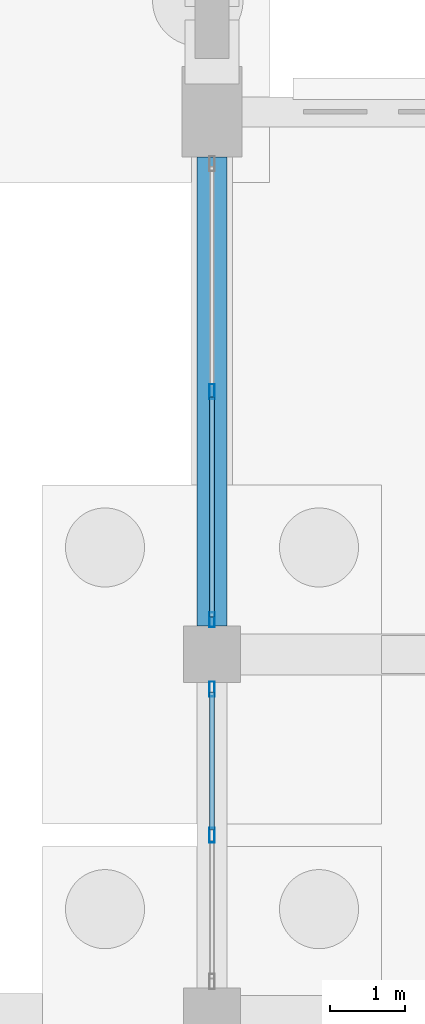
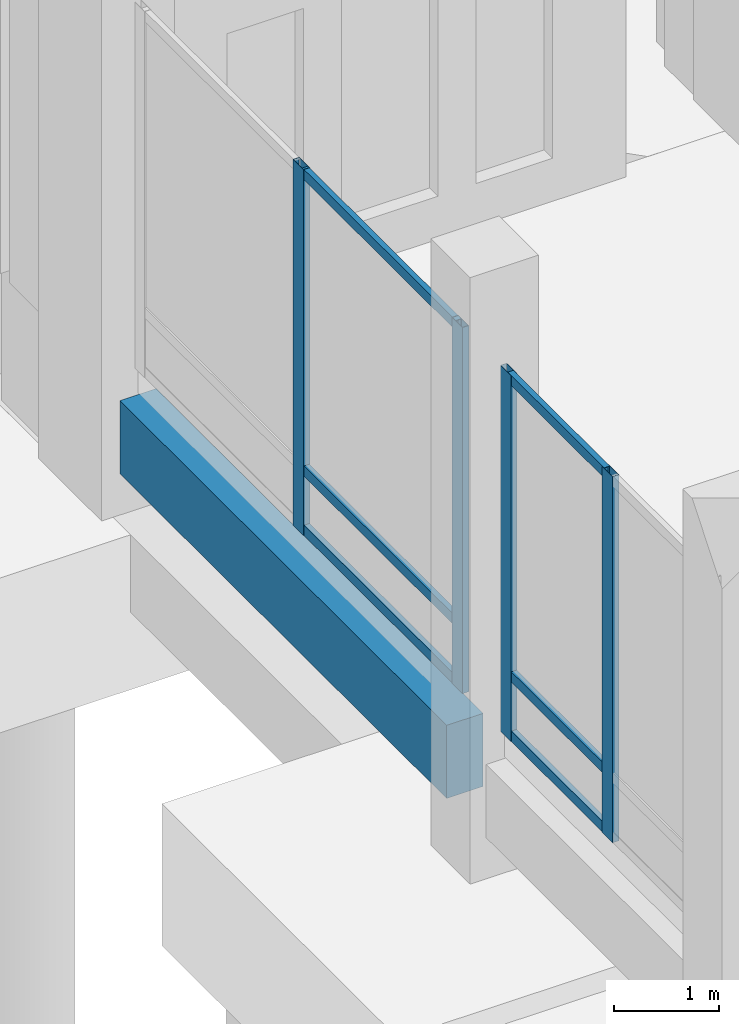
# One storey, part 108 of 192: 10 members, 1 beam, 2 elements without a shape of their own.
"""IFC4 building model written with IfcOpenShell, lengths in metres."""

import ifcopenshell
import ifcopenshell.guid

model = None  # the IFC model being written
_history = None  # IfcOwnerHistory: only IFC2X3 demands one
_inside = {}  # id of a spatial element -> (the spatial element, [elements in it])
_under = {}  # id of a project, library or spatial element -> (it, [spatial elements below it])
_declared = {}  # id of a project -> (the project, [libraries it declares])
_typed = {}  # id of a type object -> (the type object, [elements of that type])
_made_of = {}  # id of a material, layer set ... -> (it, [elements and type objects made of it])


def new_model(schema):
    """Start an empty IFC model of exactly this schema.

    Asked for "IFC4X3", IfcOpenShell would pick the latest addendum, in which some entities
    have other attributes; the version numbers below select the first issue.
    IFC2X3 requires an IfcOwnerHistory on every rooted entity: one is made here for all.
    """
    global model, _history
    if schema == "IFC4X3":
        model = ifcopenshell.file(schema_version=(4, 3, 0, 0))
    else:
        model = ifcopenshell.file(schema=schema)
    _inside.clear()
    _under.clear()
    _declared.clear()
    _typed.clear()
    _made_of.clear()
    _history = None
    if model.schema == "IFC2X3":
        org = make("IfcOrganization", Name="unknown")
        user = make(
            "IfcPersonAndOrganization",
            ThePerson=make("IfcPerson", FamilyName="unknown"),
            TheOrganization=org,
        )
        app = make(
            "IfcApplication",
            ApplicationDeveloper=org,
            Version="unknown",
            ApplicationFullName="unknown",
            ApplicationIdentifier="unknown",
        )
        _history = make(
            "IfcOwnerHistory",
            OwningUser=user,
            OwningApplication=app,
            ChangeAction="ADDED",
            CreationDate=0,
        )
    return model


def make(cls, **values):
    """One entity of the class cls with the attributes given. An attribute that is None is left unset."""
    return model.create_entity(
        cls, **{name: value for name, value in values.items() if value is not None}
    )


def rooted(cls, **values):
    """An entity with a GlobalId (a new one), such as an element, a storey or a relation."""
    return make(cls, GlobalId=ifcopenshell.guid.new(), OwnerHistory=_history, **values)


def si_unit(unit_type, name, prefix=None):
    """IfcSIUnit, for example si_unit("LENGTHUNIT", "METRE", prefix="MILLI")."""
    return make("IfcSIUnit", UnitType=unit_type, Prefix=prefix, Name=name)


def assignment(units):
    """IfcUnitAssignment: the units of a project."""
    return None if units is None else make("IfcUnitAssignment", Units=units)


def point(xyz):
    """IfcCartesianPoint."""
    return None if xyz is None else make("IfcCartesianPoint", Coordinates=xyz)


def direction(xyz):
    """IfcDirection."""
    return None if xyz is None else make("IfcDirection", DirectionRatios=xyz)


def frame(location, z_axis=None, x_axis=None):
    """IfcAxis2Placement3D, a coordinate frame: its origin and axes. An axis left out is left unset."""
    return make(
        "IfcAxis2Placement3D",
        Location=point(location),
        Axis=direction(z_axis),
        RefDirection=direction(x_axis),
    )


def frame_2d(location, x_axis=None):
    """IfcAxis2Placement2D, a coordinate frame in the plane: its origin and x axis."""
    return make(
        "IfcAxis2Placement2D", Location=point(location), RefDirection=direction(x_axis)
    )


def origin():
    """The frame at (0, 0, 0) with its axes left unset."""
    return frame((0.0, 0.0, 0.0))


def origin_2d():
    """The frame at (0, 0) in the plane with its x axis left unset."""
    return frame_2d((0.0, 0.0))


def place(relative_to, where):
    """IfcLocalPlacement: puts the frame where relative to a parent placement (None: the world)."""
    return make(
        "IfcLocalPlacement", PlacementRelTo=relative_to, RelativePlacement=where
    )


def context(
    kind, dimensions, precision=None, world=None, true_north=None, identifier=None
):
    """IfcGeometricRepresentationContext, for example the 3D "Model" context."""
    return make(
        "IfcGeometricRepresentationContext",
        ContextIdentifier=identifier,
        ContextType=kind,
        CoordinateSpaceDimension=dimensions,
        Precision=precision,
        WorldCoordinateSystem=world,
        TrueNorth=true_north,
    )


def subcontext(parent, identifier, kind, view, scale=None):
    """IfcGeometricRepresentationSubContext, for example "Body" below "Model"."""
    return make(
        "IfcGeometricRepresentationSubContext",
        ContextIdentifier=identifier,
        ContextType=kind,
        ParentContext=parent,
        TargetScale=scale,
        TargetView=view,
    )


def project(units=None, contexts=None):
    """IfcProject with its units and contexts."""
    return rooted(
        "IfcProject",
        Name="project",
        RepresentationContexts=contexts,
        UnitsInContext=assignment(units),
    )


def spatial(cls, under=None, at=None, **own):
    """A site, building, storey or space (cls), placed at a placement, below another one or the project."""
    s = rooted(cls, ObjectPlacement=at, **own)
    if under is not None:
        _under.setdefault(under.id(), (under, []))[1].append(s)
    return s


def profile(cls, at=None, kind="AREA", **sizes):
    """A parametric profile (cls). Its sizes go by their IFC names, for example OverallWidth=200.0."""
    return make(cls, ProfileType=kind, Position=at, **sizes)


def rectangle(**sizes):
    """IfcRectangleProfileDef."""
    return profile("IfcRectangleProfileDef", **sizes)


def hollow_rectangle(**sizes):
    """IfcRectangleHollowProfileDef."""
    return profile("IfcRectangleHollowProfileDef", **sizes)


def extrude(swept, where, along, depth):
    """IfcExtrudedAreaSolid: the profile swept, set in the frame where, extruded along a direction by depth."""
    return make(
        "IfcExtrudedAreaSolid",
        SweptArea=swept,
        Position=where,
        ExtrudedDirection=direction(along),
        Depth=depth,
    )


def shape(context_of_items, identifier, shape_type, items):
    """IfcShapeRepresentation: the items that make up one representation, for example the "Body"."""
    return make(
        "IfcShapeRepresentation",
        ContextOfItems=context_of_items,
        RepresentationIdentifier=identifier,
        RepresentationType=shape_type,
        Items=items,
    )


def material(Name=None, Category=None):
    """IfcMaterial."""
    return make("IfcMaterial", Name=Name, Category=Category)


def material_profile(
    of_material, cross_section, Name=None, Category=None, Priority=None
):
    """IfcMaterialProfile: a cross section and its material."""
    return make(
        "IfcMaterialProfile",
        Name=Name,
        Material=of_material,
        Profile=cross_section,
        Priority=Priority,
        Category=Category,
    )


def profile_set(profiles, Name=None, composite=None):
    """IfcMaterialProfileSet."""
    return make(
        "IfcMaterialProfileSet",
        Name=Name,
        MaterialProfiles=profiles,
        CompositeProfile=composite,
    )


def made_of(thing, what):
    """Note that an element or type object is made of a material, layer set ...; save() writes the relation."""
    if what is not None:
        _made_of.setdefault(what.id(), (what, []))[1].append(thing)
    return thing


def type_object(cls, material=None, **own):
    """A type object (cls), such as IfcWallType, which elements share."""
    return made_of(rooted(cls, **own), material)


def element(
    cls,
    number,
    at=None,
    inside=None,
    cuts=None,
    type_object=None,
    material=None,
    context=None,
    identifier="Body",
    shape_type=None,
    held_by="IfcProductDefinitionShape",
    body=None,
    shapes=None,
    **own,
):
    """One element of the class cls, such as IfcWall. Its Tag is "e" and its number.

    at: its placement. inside: the storey or other place that contains it. cuts: it is an
    opening in that element (IfcRelVoidsElement). A single representation is given by context,
    identifier, shape_type and body (its items); several are given by shapes. held_by: the class
    of the entity that holds the representations. save() writes the other relations.
    """
    e = rooted(cls, Tag="e%d" % number, ObjectPlacement=at, **own)
    if body is not None:
        shapes = [shape(context, identifier, shape_type, body)]
    if shapes is not None:
        e.Representation = make(held_by, Representations=shapes)
    if inside is not None:
        _inside.setdefault(inside.id(), (inside, []))[1].append(e)
    if cuts is not None:
        rooted(
            "IfcRelVoidsElement", RelatingBuildingElement=cuts, RelatedOpeningElement=e
        )
    if type_object is not None:
        _typed.setdefault(type_object.id(), (type_object, []))[1].append(e)
    return made_of(e, material)


def aggregate(whole, parts):
    """IfcRelAggregates: a whole, such as a stair, and the parts it consists of."""
    return rooted("IfcRelAggregates", RelatingObject=whole, RelatedObjects=parts)


def save(model, path):
    """Write the relations noted so far, then the file.

    IfcRelAggregates (storeys below a building ...), IfcRelContainedInSpatialStructure (elements
    in a storey), IfcRelDefinesByType, IfcRelAssociatesMaterial and IfcRelDeclares: one each for
    every whole, place, type object, material and project.
    """
    for whole, parts in _under.values():
        aggregate(whole, parts)
    for where, things in _inside.values():
        rooted(
            "IfcRelContainedInSpatialStructure",
            RelatedElements=things,
            RelatingStructure=where,
        )
    for kind, things in _typed.values():
        rooted("IfcRelDefinesByType", RelatedObjects=things, RelatingType=kind)
    for what, things in _made_of.values():
        rooted("IfcRelAssociatesMaterial", RelatedObjects=things, RelatingMaterial=what)
    for by, libraries in _declared.values():
        rooted("IfcRelDeclares", RelatingContext=by, RelatedDefinitions=libraries)
    model.write(path)


model = new_model("IFC4")

# Units and contexts
model_context = context("Model", 3, precision=1e-05, world=origin(), true_north=direction((0.0, 1.0)))
body_context = subcontext(model_context, "Body", "Model", "MODEL_VIEW")
ifc_project = project(units=[si_unit("LENGTHUNIT", "METRE"), si_unit("AREAUNIT", "SQUARE_METRE"), si_unit("VOLUMEUNIT", "CUBIC_METRE"), si_unit("PLANEANGLEUNIT", "RADIAN"), si_unit("MASSUNIT", "GRAM", prefix="KILO")], contexts=[model_context])

# Site, building, storey
site_placement = place(None, origin())
site = spatial("IfcSite", under=ifc_project, at=site_placement, CompositionType="ELEMENT")
building_placement = place(site_placement, origin())
building = spatial("IfcBuilding", under=site, at=building_placement, Name="Cendralis Lancet Convention Centre", CompositionType="ELEMENT")
storey_placement = place(building_placement, origin())
storey = spatial("IfcBuildingStorey", under=building, at=storey_placement, Name="L00", CompositionType="ELEMENT", Elevation=0.0)

# Curtain wall, members
ifc_material_1 = material(Name="Anodised bronze architectural aluminium", Category="aluminium")
curtain_wall_type = type_object("IfcCurtainWallType", Name="ARC-CW-PL01", PredefinedType="USERDEFINED", material=ifc_material_1)
curtain_wall_1_placement = place(storey_placement, origin())
curtain_wall_1 = element("IfcCurtainWall", 1, at=curtain_wall_1_placement, inside=storey, type_object=curtain_wall_type, Name="L00 Curtain Wall CW-PL1 #111", ObjectType="CURTAIN WALL", PredefinedType="USERDEFINED")
ifc_material_profile_1 = material_profile(ifc_material_1, hollow_rectangle(XDim=0.070068359375, YDim=0.199951171875, WallThickness=0.0048828125, at=origin_2d()), Name="AL-MULL 70x200x5.0")
ifc_profile_set_1 = profile_set([ifc_material_profile_1], Name="Anodised bronze architectural aluminium")
member_type_1 = type_object("IfcMemberType", Name="ARC-CW-ML02", PredefinedType="MULLION", material=ifc_profile_set_1)
member_1_placement = place(storey_placement, frame((139.199951171875, 81.60009765625, 0.0), z_axis=(0.0, 0.0, 1.0), x_axis=(1.0, 0.0, 0.0)))
member_1 = element("IfcMember", 2, at=member_1_placement, type_object=member_type_1, Name="Mullion CW2-CW-PL1-L00-111-M1", PredefinedType="MULLION", context=body_context, shape_type="SweptSolid", body=[
    extrude(hollow_rectangle(XDim=0.070068359375, YDim=0.199951171875, WallThickness=0.0048828125, at=origin_2d()), origin(), (0.0, 0.0, 1.0), 4.2548828125),
])
member_2_placement = place(storey_placement, frame((139.199951171875, 83.5400390625, 0.0), z_axis=(0.0, 0.0, 1.0), x_axis=(1.0, 0.0, 0.0)))
member_2 = element("IfcMember", 3, at=member_2_placement, type_object=member_type_1, Name="Mullion CW2-CW-PL1-L00-111-M2", PredefinedType="MULLION", context=body_context, shape_type="SweptSolid", body=[
    extrude(hollow_rectangle(XDim=0.070068359375, YDim=0.199951171875, WallThickness=0.0048828125, at=origin_2d()), origin(), (0.0, 0.0, 1.0), 4.2548828125),
])

curtain_wall_2_placement = place(storey_placement, origin())
curtain_wall_2 = element("IfcCurtainWall", 4, at=curtain_wall_2_placement, inside=storey, type_object=curtain_wall_type, Name="L00 Curtain Wall CW-PL1 #112", ObjectType="CURTAIN WALL", PredefinedType="USERDEFINED")
member_3_placement = place(storey_placement, frame((139.199951171875, 84.4599609375, 0.0), z_axis=(0.0, 0.0, 1.0), x_axis=(1.0, 0.0, 0.0)))
member_3 = element("IfcMember", 5, at=member_3_placement, type_object=member_type_1, Name="Mullion CW2-CW-PL1-L00-112-M0", PredefinedType="MULLION", context=body_context, shape_type="SweptSolid", body=[
    extrude(hollow_rectangle(XDim=0.070068359375, YDim=0.199951171875, WallThickness=0.0048828125, at=origin_2d()), origin(), (0.0, 0.0, 1.0), 4.2548828125),
])
member_4_placement = place(storey_placement, frame((139.199951171875, 87.487548828125, 0.0), z_axis=(0.0, 0.0, 1.0), x_axis=(1.0, 0.0, 0.0)))
member_4 = element("IfcMember", 6, at=member_4_placement, type_object=member_type_1, Name="Mullion CW2-CW-PL1-L00-112-M1", PredefinedType="MULLION", context=body_context, shape_type="SweptSolid", body=[
    extrude(hollow_rectangle(XDim=0.070068359375, YDim=0.199951171875, WallThickness=0.0048828125, at=origin_2d()), origin(), (0.0, 0.0, 1.0), 4.2548828125),
])

# Member
ifc_material_profile_2 = material_profile(ifc_material_1, hollow_rectangle(XDim=0.06005859375, YDim=0.1201171875, WallThickness=0.00390625, at=origin_2d()), Name="AL-TRAN 60x120x4.0")
ifc_profile_set_2 = profile_set([ifc_material_profile_2], Name="Anodised bronze architectural aluminium")
member_type_2 = type_object("IfcMemberType", Name="ARC-CW-TR01", PredefinedType="USERDEFINED", material=ifc_profile_set_2)
member_5_placement = place(storey_placement, frame((139.199951171875, 81.669921875, 0.06005859375), z_axis=(0.0, 1.0, 0.0), x_axis=(-1.0, 0.0, 0.0)))
member_5 = element("IfcMember", 7, at=member_5_placement, type_object=member_type_2, Name="Transom CW2-CW-PL1-L00-111-T1BOT", ObjectType="TRANSOM", PredefinedType="USERDEFINED", context=body_context, shape_type="SweptSolid", body=[
    extrude(hollow_rectangle(XDim=0.06005859375, YDim=0.1201171875, WallThickness=0.00390625, at=origin_2d()), origin(), (0.0, 0.0, 1.0), 1.8349609375),
])

member_6_placement = place(storey_placement, frame((139.199951171875, 81.669921875, 0.75), z_axis=(0.0, 1.0, 0.0), x_axis=(-1.0, 0.0, 0.0)))
member_6 = element("IfcMember", 8, at=member_6_placement, type_object=member_type_2, Name="Transom CW2-CW-PL1-L00-111-T1MID", ObjectType="TRANSOM", PredefinedType="USERDEFINED", context=body_context, shape_type="SweptSolid", body=[
    extrude(hollow_rectangle(XDim=0.06005859375, YDim=0.1201171875, WallThickness=0.00390625, at=origin_2d()), origin(), (0.0, 0.0, 1.0), 1.8349609375),
])

member_7_placement = place(storey_placement, frame((139.199951171875, 81.669921875, 4.195068359375), z_axis=(0.0, 1.0, 0.0), x_axis=(-1.0, 0.0, 0.0)))
member_7 = element("IfcMember", 9, at=member_7_placement, type_object=member_type_2, Name="Transom CW2-CW-PL1-L00-111-T1TOP", ObjectType="TRANSOM", PredefinedType="USERDEFINED", context=body_context, shape_type="SweptSolid", body=[
    extrude(hollow_rectangle(XDim=0.06005859375, YDim=0.1201171875, WallThickness=0.00390625, at=origin_2d()), origin(), (0.0, 0.0, 1.0), 1.8349609375),
])

aggregate(curtain_wall_1, [member_1, member_2, member_5, member_6, member_7])

member_8_placement = place(storey_placement, frame((139.199951171875, 84.4951171875, 0.06005859375), z_axis=(0.0, 1.0, 0.0), x_axis=(-1.0, 0.0, 0.0)))
member_8 = element("IfcMember", 10, at=member_8_placement, type_object=member_type_2, Name="Transom CW2-CW-PL1-L00-112-T0BOT", ObjectType="TRANSOM", PredefinedType="USERDEFINED", context=body_context, shape_type="SweptSolid", body=[
    extrude(hollow_rectangle(XDim=0.06005859375, YDim=0.1201171875, WallThickness=0.00390625, at=origin_2d()), origin(), (0.0, 0.0, 1.0), 2.92236328125),
])

member_9_placement = place(storey_placement, frame((139.199951171875, 84.4951171875, 0.75), z_axis=(0.0, 1.0, 0.0), x_axis=(-1.0, 0.0, 0.0)))
member_9 = element("IfcMember", 11, at=member_9_placement, type_object=member_type_2, Name="Transom CW2-CW-PL1-L00-112-T0MID", ObjectType="TRANSOM", PredefinedType="USERDEFINED", context=body_context, shape_type="SweptSolid", body=[
    extrude(hollow_rectangle(XDim=0.06005859375, YDim=0.1201171875, WallThickness=0.00390625, at=origin_2d()), origin(), (0.0, 0.0, 1.0), 2.92236328125),
])

member_10_placement = place(storey_placement, frame((139.199951171875, 84.4951171875, 4.195068359375), z_axis=(0.0, 1.0, 0.0), x_axis=(-1.0, 0.0, 0.0)))
member_10 = element("IfcMember", 12, at=member_10_placement, type_object=member_type_2, Name="Transom CW2-CW-PL1-L00-112-T0TOP", ObjectType="TRANSOM", PredefinedType="USERDEFINED", context=body_context, shape_type="SweptSolid", body=[
    extrude(hollow_rectangle(XDim=0.06005859375, YDim=0.1201171875, WallThickness=0.00390625, at=origin_2d()), origin(), (0.0, 0.0, 1.0), 2.92236328125),
])

aggregate(curtain_wall_2, [member_3, member_4, member_8, member_9, member_10])

# Beam
ifc_material_2 = material(Name="Concrete G40 (C40/50)", Category="concrete")
ifc_material_profile_3 = material_profile(ifc_material_2, rectangle(XDim=0.39990234375, YDim=0.85009765625, at=origin_2d()), Name="RCB 400x850")
ifc_profile_set_3 = profile_set([ifc_material_profile_3], Name="Concrete G40 (C40/50)")
beam_type = type_object("IfcBeamType", Name="STR-SP-SP02", PredefinedType="SPANDREL", material=ifc_profile_set_3)
beam_placement = place(storey_placement, frame((139.199951171875, 84.375, -0.7451171875), z_axis=(0.0, 1.0, 0.0), x_axis=(-1.0, 0.0, 0.0)))
element("IfcBeam", 13, at=beam_placement, inside=storey, type_object=beam_type, Name="L00 Beam SP02 #1371", PredefinedType="SPANDREL", context=body_context, shape_type="SweptSolid", body=[
    extrude(rectangle(XDim=0.39990234375, YDim=0.85009765625, at=origin_2d()), origin(), (0.0, 0.0, 1.0), 6.22509765625),
])

save(model, "model.ifc")
